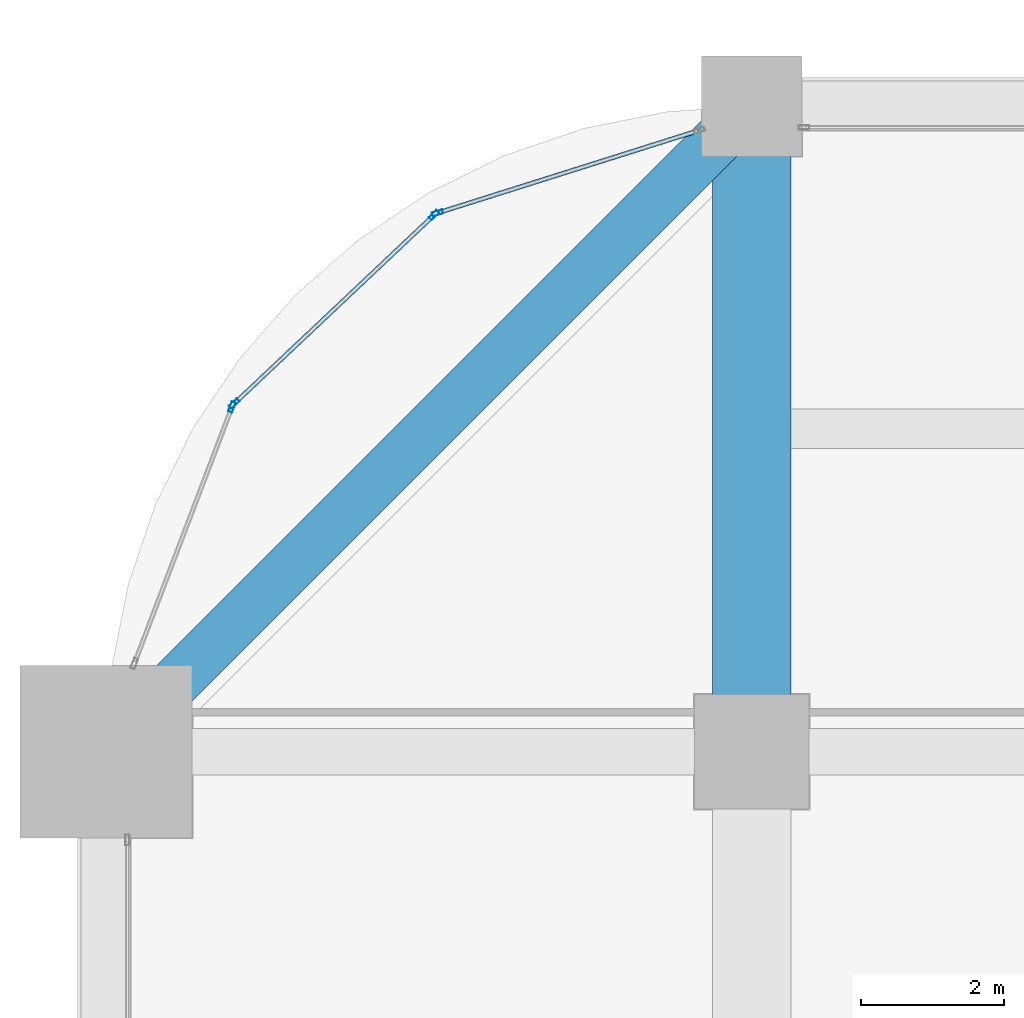
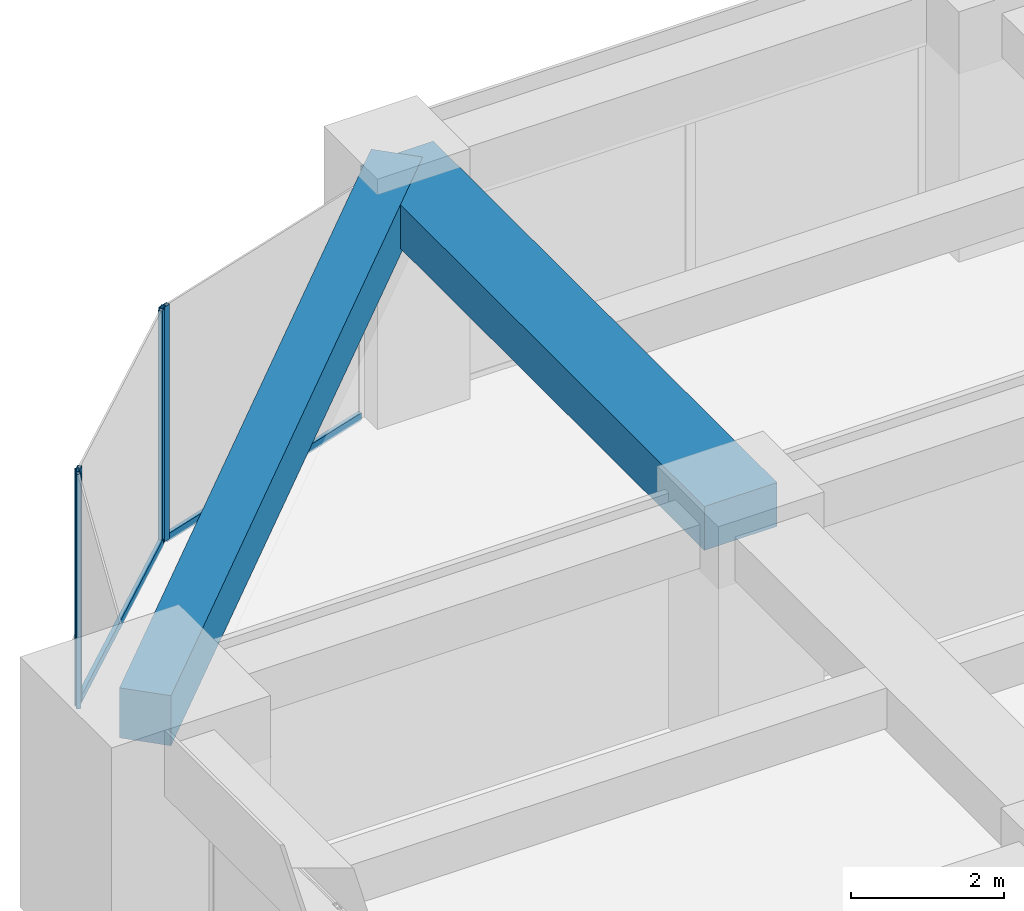
# One storey, part 22 of 32: 6 members, 2 beams, 3 elements without a shape of their own.
"""IFC4 building model written with IfcOpenShell, lengths in metres."""

from ifc_helpers import new_model, si_unit, direction, frame, origin, origin_2d, place, context, subcontext, project, spatial, rectangle, hollow_rectangle, extrude, material, material_profile, profile_set, type_object, element, aggregate, save


model = new_model("IFC4")

# Units and contexts
model_context = context("Model", 3, precision=1e-05, world=origin(), true_north=direction((0.0, 1.0)))
body_context = subcontext(model_context, "Body", "Model", "MODEL_VIEW")
ifc_project = project(units=[si_unit("LENGTHUNIT", "METRE"), si_unit("AREAUNIT", "SQUARE_METRE"), si_unit("VOLUMEUNIT", "CUBIC_METRE"), si_unit("PLANEANGLEUNIT", "RADIAN"), si_unit("MASSUNIT", "GRAM", prefix="KILO")], contexts=[model_context])

# Site, building, storey
site_placement = place(None, origin())
site = spatial("IfcSite", under=ifc_project, at=site_placement, CompositionType="ELEMENT")
building_placement = place(site_placement, origin())
building = spatial("IfcBuilding", under=site, at=building_placement, Name="Zorevar Civic Tower", CompositionType="ELEMENT")
storey_placement = place(building_placement, frame((0.0, 0.0, 182.199951171875)))
storey = spatial("IfcBuildingStorey", under=building, at=storey_placement, Name="L44", CompositionType="ELEMENT", Elevation=182.199951171875)

# Beam
ifc_material_1 = material(Name="Concrete C50/60", Category="concrete")
ifc_material_profile_1 = material_profile(ifc_material_1, rectangle(XDim=1.10009765625, YDim=0.699951171875, at=origin_2d()), Name="RC 1100x700")
ifc_profile_set_1 = profile_set([ifc_material_profile_1], Name="Concrete C50/60")
beam_type_1 = type_object("IfcBeamType", Name="Beam RC 1100x700", PredefinedType="BEAM", material=ifc_profile_set_1)
beam_1_placement = place(storey_placement, frame((9.0, 36.0, 3.400146484375), z_axis=(0.0, 1.0, 0.0), x_axis=(-1.0, 0.0, 0.0)))
element("IfcBeam", 1, at=beam_1_placement, inside=storey, type_object=beam_type_1, Name="Girder L45", PredefinedType="BEAM", context=body_context, shape_type="SweptSolid", body=[
    extrude(rectangle(XDim=1.10009765625, YDim=0.699951171875, at=origin_2d()), origin(), (0.0, 0.0, 1.0), 9.0),
])

# Curtain wall, member
ifc_material_2 = material(Name="Dark grey solar-control glass in black aluminium frame", Category="aluminium")
curtain_wall_type = type_object("IfcCurtainWallType", Name="Curtain wall CW4 high zone", PredefinedType="NOTDEFINED", material=ifc_material_2)
curtain_wall_1_placement = place(storey_placement, origin())
curtain_wall_1 = element("IfcCurtainWall", 2, at=curtain_wall_1_placement, inside=storey, type_object=curtain_wall_type, Name="CW4 L44", PredefinedType="NOTDEFINED")
ifc_material_3 = material(Name="Aluminium, black anodised", Category="aluminium")
ifc_material_profile_2 = material_profile(ifc_material_3, hollow_rectangle(XDim=0.06005859375, YDim=0.14990234375, WallThickness=0.00390625, at=origin_2d()), Name="AL 150x60x4")
ifc_profile_set_2 = profile_set([ifc_material_profile_2], Name="Aluminium, black anodised")
member_type_1 = type_object("IfcMemberType", Name="CW4 mullion AL 150x60x4", PredefinedType="MULLION", material=ifc_profile_set_2)
member_1_placement = place(storey_placement, frame((4.62158203125, 43.51025390625, 0.0), z_axis=(0.0, 0.0, 1.0), x_axis=(0.301108296077, -0.953589950678, 0.0)))
member_1 = element("IfcMember", 3, at=member_1_placement, type_object=member_type_1, Name="CW4 mullion 2", PredefinedType="MULLION", context=body_context, shape_type="SweptSolid", body=[
    extrude(hollow_rectangle(XDim=0.06005859375, YDim=0.14990234375, WallThickness=0.00390625, at=origin_2d()), origin(), (0.0, 0.0, 1.0), 3.75),
])

# Curtain wall, members
curtain_wall_2_placement = place(storey_placement, origin())
curtain_wall_2 = element("IfcCurtainWall", 4, at=curtain_wall_2_placement, inside=storey, type_object=curtain_wall_type, Name="CW4 L44", PredefinedType="NOTDEFINED")
member_2_placement = place(storey_placement, frame((4.5712890625, 43.480712890625, 0.0), z_axis=(0.0, 0.0, 1.0), x_axis=(0.686377907265, -0.727245053898, 0.0)))
member_2 = element("IfcMember", 5, at=member_2_placement, type_object=member_type_1, Name="CW4 mullion 1", PredefinedType="MULLION", context=body_context, shape_type="SweptSolid", body=[
    extrude(hollow_rectangle(XDim=0.06005859375, YDim=0.14990234375, WallThickness=0.00390625, at=origin_2d()), origin(), (0.0, 0.0, 1.0), 3.75),
])
member_3_placement = place(storey_placement, frame((1.787841796875, 40.853759765625, 0.0), z_axis=(0.0, 0.0, 1.0), x_axis=(0.686377907265, -0.727245053898, 0.0)))
member_3 = element("IfcMember", 6, at=member_3_placement, type_object=member_type_1, Name="CW4 mullion 2", PredefinedType="MULLION", context=body_context, shape_type="SweptSolid", body=[
    extrude(hollow_rectangle(XDim=0.06005859375, YDim=0.14990234375, WallThickness=0.00390625, at=origin_2d()), origin(), (0.0, 0.0, 1.0), 3.75),
])

# Curtain wall, member
curtain_wall_3_placement = place(storey_placement, origin())
curtain_wall_3 = element("IfcCurtainWall", 7, at=curtain_wall_3_placement, inside=storey, type_object=curtain_wall_type, Name="CW4 L44", PredefinedType="NOTDEFINED")
member_4_placement = place(storey_placement, frame((1.75537109375, 40.804931640625, 0.0), z_axis=(0.0, 0.0, 1.0), x_axis=(0.93458842801, -0.355730895803, 0.0)))
member_4 = element("IfcMember", 8, at=member_4_placement, type_object=member_type_1, Name="CW4 mullion 1", PredefinedType="MULLION", context=body_context, shape_type="SweptSolid", body=[
    extrude(hollow_rectangle(XDim=0.06005859375, YDim=0.14990234375, WallThickness=0.00390625, at=origin_2d()), origin(), (0.0, 0.0, 1.0), 3.75),
])
aggregate(curtain_wall_3, [member_4])

# Member
ifc_material_4 = material(Name="Aluminium, black anodised", Category="aluminium")
ifc_material_profile_3 = material_profile(ifc_material_4, hollow_rectangle(XDim=0.06005859375, YDim=0.1201171875, WallThickness=0.0029296875, at=origin_2d()), Name="AL 120x60x3")
ifc_profile_set_3 = profile_set([ifc_material_profile_3], Name="Aluminium, black anodised")
member_type_2 = type_object("IfcMemberType", Name="CW4 transom AL 120x60x3", PredefinedType="USERDEFINED", material=ifc_profile_set_3)
member_5_placement = place(storey_placement, frame((8.24267578125, 44.653564453125, 0.030029296875), z_axis=(-0.953592459367, -0.301100351109, 0.0), x_axis=(0.301100351109, -0.953592459367, 0.0)))
member_5 = element("IfcMember", 9, at=member_5_placement, type_object=member_type_2, Name="CW4 sill transom", ObjectType="TRANSOM", PredefinedType="USERDEFINED", context=body_context, shape_type="SweptSolid", body=[
    extrude(hollow_rectangle(XDim=0.06005859375, YDim=0.1201171875, WallThickness=0.0029296875, at=origin_2d()), origin(), (0.0, 0.0, 1.0), 3.76708984375),
])

aggregate(curtain_wall_1, [member_1, member_5])

member_6_placement = place(storey_placement, frame((4.549560546875, 43.4599609375, 0.030029296875), z_axis=(-0.727288059227, -0.686332338526, 0.0), x_axis=(0.686332338526, -0.727288059227, 0.0)))
member_6 = element("IfcMember", 10, at=member_6_placement, type_object=member_type_2, Name="CW4 sill transom", ObjectType="TRANSOM", PredefinedType="USERDEFINED", context=body_context, shape_type="SweptSolid", body=[
    extrude(hollow_rectangle(XDim=0.06005859375, YDim=0.1201171875, WallThickness=0.0029296875, at=origin_2d()), origin(), (0.0, 0.0, 1.0), 3.767333984375),
])

aggregate(curtain_wall_2, [member_2, member_3, member_6])

# Beam
ifc_material_5 = material(Name="Concrete C50/60", Category="concrete")
ifc_material_profile_4 = material_profile(ifc_material_5, rectangle(XDim=0.699951171875, YDim=0.800048828125, at=origin_2d()), Name="RC 700x800")
ifc_profile_set_4 = profile_set([ifc_material_profile_4], Name="Concrete C50/60")
beam_type_2 = type_object("IfcBeamType", Name="Edge beam RC 700x800", PredefinedType="SPANDREL", material=ifc_profile_set_4)
beam_2_placement = place(storey_placement, frame((9.0, 45.0, 3.35009765625), z_axis=(-0.707106781187, -0.707106781187, 0.0), x_axis=(0.707106781187, -0.707106781187, 0.0)))
element("IfcBeam", 11, at=beam_2_placement, inside=storey, type_object=beam_type_2, Name="Corner edge beam L45", PredefinedType="SPANDREL", context=body_context, shape_type="SweptSolid", body=[
    extrude(rectangle(XDim=0.699951171875, YDim=0.800048828125, at=origin_2d()), origin(), (0.0, 0.0, 1.0), 12.72802734375),
])

save(model, "model.ifc")
